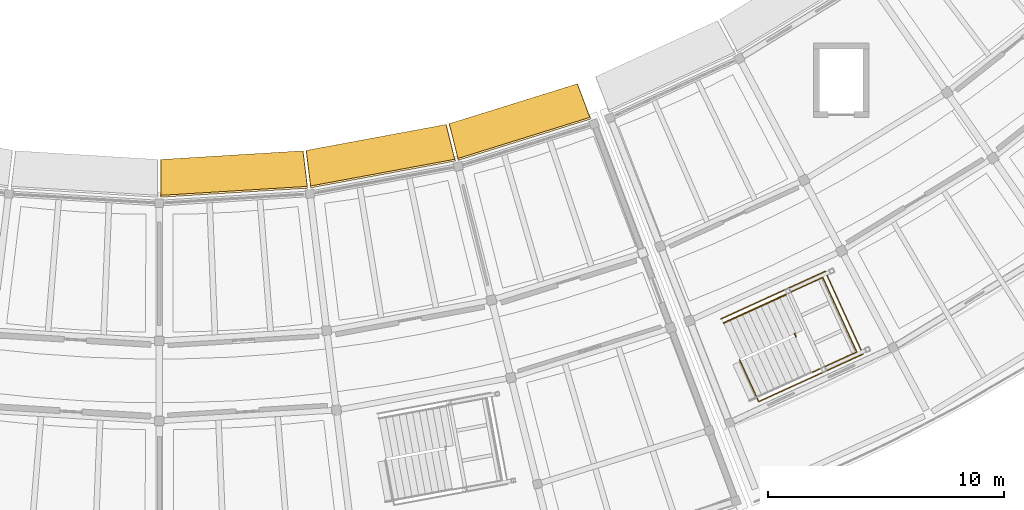
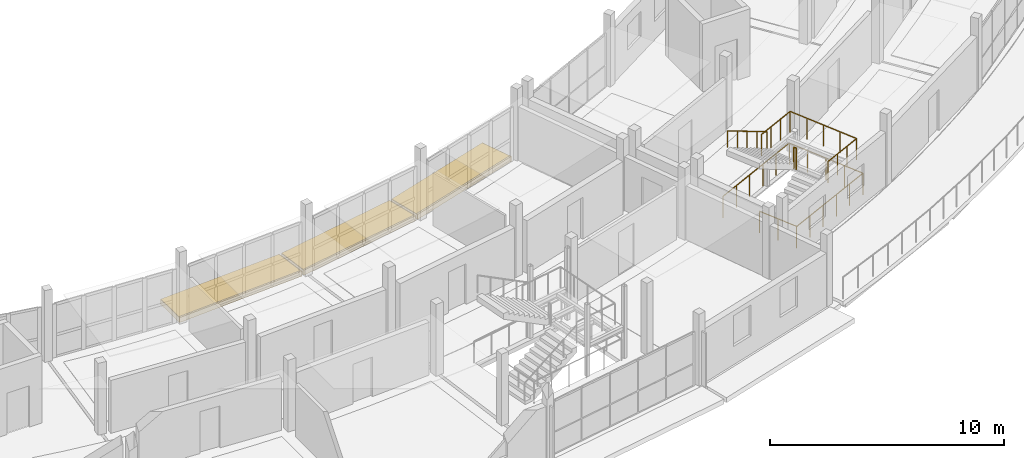
# One storey, part 35 of 36: 4 railings, 3 coverings, 3 shading devices.
"""IFC4 building model written with IfcOpenShell, lengths in metres."""

from ifc_helpers import new_model, si_unit, direction, frame, origin, origin_2d, place, context, subcontext, project, spatial, polyline, circle, outline, extrude, material, layer, layer_set, type_object, element, save


model = new_model("IFC4")

# Units and contexts
model_context = context("Model", 3, precision=1e-05, world=origin(), true_north=direction((0.0, 1.0)))
body_context = subcontext(model_context, "Body", "Model", "MODEL_VIEW")
ifc_project = project(units=[si_unit("LENGTHUNIT", "METRE"), si_unit("AREAUNIT", "SQUARE_METRE"), si_unit("VOLUMEUNIT", "CUBIC_METRE"), si_unit("PLANEANGLEUNIT", "RADIAN"), si_unit("MASSUNIT", "GRAM", prefix="KILO")], contexts=[model_context])

# Site, building, storey
site_placement = place(None, origin())
site = spatial("IfcSite", under=ifc_project, at=site_placement, CompositionType="ELEMENT")
building_placement = place(site_placement, origin())
building = spatial("IfcBuilding", under=site, at=building_placement, Name="Caldaven Crescent School", CompositionType="ELEMENT")
storey_placement = place(building_placement, frame((0.0, 0.0, 11.89990234375)))
storey = spatial("IfcBuildingStorey", under=building, at=storey_placement, Name="L03", CompositionType="ELEMENT", Elevation=11.89990234375)

# Coverings
ifc_material_1 = material(Name="White architectural GFRC precast concrete C35/45 cladding", Category="concrete")
ifc_layer_1 = layer(ifc_material_1, 0.260009765625)
ifc_layer_set_1 = layer_set([ifc_layer_1], Name="White architectural GFRC precast concrete C35/45 cladding")
covering_type = type_object("IfcCoveringType", Name="COV-CLD1", PredefinedType="CLADDING", material=ifc_layer_set_1)
covering_1_placement = place(storey_placement, frame((0.0, 0.0, -0.260009765625)))
element("IfcCovering", 1, at=covering_1_placement, inside=storey, type_object=covering_type, Name="CLD-IN-L03-070", PredefinedType="CLADDING", context=body_context, shape_type="SweptSolid", body=[
    extrude(outline(polyline([(88.052978515625, 45.400146484375), (94.114013671875, 45.770751953125), (94.307373046875, 44.182373046875), (88.0546875, 43.800048828125), (88.052978515625, 45.400146484375)])), origin(), (0.0, 0.0, 1.0), 0.260009765625),
])
covering_2_placement = place(storey_placement, frame((0.0, 0.0, -0.260009765625)))
element("IfcCovering", 2, at=covering_2_placement, inside=storey, type_object=covering_type, Name="CLD-IN-L03-072", PredefinedType="CLADDING", context=body_context, shape_type="SweptSolid", body=[
    extrude(outline(polyline([(94.21923828125, 45.78369140625), (100.18994140625, 46.89013671875), (100.5751953125, 45.33740234375), (94.415771484375, 44.19580078125), (94.21923828125, 45.78369140625)])), origin(), (0.0, 0.0, 1.0), 0.260009765625),
])
covering_3_placement = place(storey_placement, frame((0.0, 0.0, -0.260009765625)))
element("IfcCovering", 3, at=covering_3_placement, inside=storey, type_object=covering_type, Name="CLD-IN-L03-074", PredefinedType="CLADDING", context=body_context, shape_type="SweptSolid", body=[
    extrude(outline(polyline([(100.292724609375, 46.915771484375), (105.758056640625, 48.618408203125), (106.319580078125, 47.120361328125), (100.681396484375, 45.36376953125), (100.292724609375, 46.915771484375)])), origin(), (0.0, 0.0, 1.0), 0.260009765625),
])

# Railings
ifc_material_2 = material(Name="Brushed stainless-steel continuous tubular handrail", Category="steel")
railing_type_1 = type_object("IfcRailingType", Name="RAL-HR1", PredefinedType="HANDRAIL", material=ifc_material_2)
railing_1_placement = place(storey_placement, frame((114.59765625, 39.662353515625, 2.043212890625)))
element("IfcRailing", 4, at=railing_1_placement, inside=storey, type_object=railing_type_1, Name="HR-ST4-L03-F2", PredefinedType="HANDRAIL", context=body_context, shape_type="SweptSolid", body=[
    extrude(circle(Radius=0.02392578125, at=origin_2d()), frame((0.0, 0.0, 0.85595703125), z_axis=(-0.785028543257, -0.357762106031, 0.505703926977), x_axis=(0.414697069895, -0.909959526694, 0.0)), (0.0, 0.0, 1.0), 3.361572265625),
    extrude(circle(Radius=0.02099609375, at=origin_2d()), origin(), (0.0, 0.0, 1.0), 0.831787109375),
    extrude(circle(Radius=0.02099609375, at=origin_2d()), frame((-0.65966796875, -0.30078125, 0.425048828125)), (0.0, 0.0, 1.0), 0.831787109375),
    extrude(circle(Radius=0.02099609375, at=origin_2d()), frame((-1.3193359375, -0.601318359375, 0.85009765625)), (0.0, 0.0, 1.0), 0.831787109375),
    extrude(circle(Radius=0.02099609375, at=origin_2d()), frame((-1.979248046875, -0.90185546875, 1.27490234375)), (0.0, 0.0, 1.0), 0.831787109375),
    extrude(circle(Radius=0.02099609375, at=origin_2d()), frame((-2.638916015625, -1.20263671875, 1.699951171875)), (0.0, 0.0, 1.0), 0.831787109375),
])
ifc_material_3 = material(Name="Powder-coated tubular steel balustrade ASTM A572 Grade 50", Category="steel")
railing_type_2 = type_object("IfcRailingType", Name="RAL-INT2", PredefinedType="BALUSTRADE", material=ifc_material_3)
railing_2_placement = place(storey_placement, frame((115.688720703125, 36.351806640625, 1.8701171875)))
element("IfcRailing", 5, at=railing_2_placement, inside=storey, type_object=railing_type_2, Name="GD-LND-ST4-L03", PredefinedType="BALUSTRADE", context=body_context, shape_type="SweptSolid", body=[
    extrude(circle(Radius=0.02392578125, at=origin_2d()), frame((0.0, 0.0, 1.09619140625), z_axis=(0.909973800764, 0.414665747227, 0.0), x_axis=(-0.414665747227, 0.909973800764, 0.0)), (0.0, 0.0, 1.0), 2.110107421875),
    extrude(circle(Radius=0.02392578125, at=origin_2d()), frame((1.920166015625, 0.875, 1.09619140625), z_axis=(-0.41470663112, 0.909955169283, 0.0), x_axis=(-0.909955169283, -0.41470663112, 0.0)), (0.0, 0.0, 1.0), 3.479736328125),
    extrude(circle(Radius=0.02392578125, at=origin_2d()), frame((0.47705078125, 4.04150390625, 1.09619140625), z_axis=(-0.909973800764, -0.414665747227, 0.0), x_axis=(0.414665747227, -0.909973800764, 0.0)), (0.0, 0.0, 1.0), 2.110107421875),
    extrude(circle(Radius=0.02099609375, at=origin_2d()), origin(), (0.0, 0.0, 1.0), 1.072021484375),
    extrude(circle(Radius=0.02099609375, at=origin_2d()), frame((0.64013671875, 0.291748046875, 0.0)), (0.0, 0.0, 1.0), 1.072021484375),
    extrude(circle(Radius=0.02099609375, at=origin_2d()), frame((1.280029296875, 0.583251953125, 0.0)), (0.0, 0.0, 1.0), 1.072021484375),
    extrude(circle(Radius=0.02099609375, at=origin_2d()), frame((1.920166015625, 0.875, 0.0)), (0.0, 0.0, 1.0), 1.072021484375),
    extrude(circle(Radius=0.02099609375, at=origin_2d()), frame((1.559326171875, 1.66650390625, 0.0)), (0.0, 0.0, 1.0), 1.072021484375),
    extrude(circle(Radius=0.02099609375, at=origin_2d()), frame((1.19873046875, 2.458251953125, 0.0)), (0.0, 0.0, 1.0), 1.072021484375),
    extrude(circle(Radius=0.02099609375, at=origin_2d()), frame((0.837890625, 3.25, 0.0)), (0.0, 0.0, 1.0), 1.072021484375),
    extrude(circle(Radius=0.02099609375, at=origin_2d()), frame((0.47705078125, 4.04150390625, 0.0)), (0.0, 0.0, 1.0), 1.072021484375),
    extrude(circle(Radius=0.02099609375, at=origin_2d()), frame((-0.1630859375, 3.749755859375, 0.0)), (0.0, 0.0, 1.0), 1.072021484375),
    extrude(circle(Radius=0.02099609375, at=origin_2d()), frame((-0.802978515625, 3.458251953125, 0.0)), (0.0, 0.0, 1.0), 1.072021484375),
    extrude(circle(Radius=0.02099609375, at=origin_2d()), frame((-1.443115234375, 3.16650390625, 0.0)), (0.0, 0.0, 1.0), 1.072021484375),
])
railing_3_placement = place(storey_placement, frame((115.023681640625, 37.8837890625, 1.8701171875)))
element("IfcRailing", 6, at=railing_3_placement, inside=storey, type_object=railing_type_2, Name="GD-SLT-ST4-L03", PredefinedType="BALUSTRADE", context=body_context, shape_type="SweptSolid", body=[
    extrude(circle(Radius=0.02392578125, at=origin_2d()), frame((0.0, 0.0, 1.09619140625), z_axis=(-0.414853292937, 0.909888314761, 0.0), x_axis=(-0.909888314761, -0.414853292937, 0.0)), (0.0, 0.0, 1.0), 0.14013671875),
    extrude(circle(Radius=0.02099609375, at=origin_2d()), origin(), (0.0, 0.0, 1.0), 1.072021484375),
    extrude(circle(Radius=0.02099609375, at=origin_2d()), frame((-0.05810546875, 0.12744140625, 0.0)), (0.0, 0.0, 1.0), 1.072021484375),
])
railing_type_3 = type_object("IfcRailingType", Name="RAL-INT3", PredefinedType="BALUSTRADE", material=ifc_material_3)
railing_4_placement = place(storey_placement, frame((112.63671875, 36.89501953125, 0.0)))
element("IfcRailing", 7, at=railing_4_placement, inside=storey, type_object=railing_type_3, Name="GD-WELL-ST4-L03", PredefinedType="BALUSTRADE", context=body_context, shape_type="SweptSolid", body=[
    extrude(circle(Radius=0.02392578125, at=origin_2d()), frame((0.0, 0.0, 1.1259765625), z_axis=(0.414670598092, -0.909971590259, 0.0), x_axis=(0.909971590259, 0.414670598092, 0.0)), (0.0, 0.0, 1.0), 1.949951171875),
    extrude(circle(Radius=0.02392578125, at=origin_2d()), frame((0.80859375, -1.7744140625, 1.1259765625), z_axis=(0.909973988672, 0.414665334867, 0.0), x_axis=(-0.414665334867, 0.909973988672, 0.0)), (0.0, 0.0, 1.0), 4.862060546875),
    extrude(circle(Radius=0.02392578125, at=origin_2d()), frame((5.23291015625, 0.24169921875, 1.1259765625), z_axis=(-0.414717666462, 0.909950139911, 0.0), x_axis=(-0.909950139911, -0.414717666462, 0.0)), (0.0, 0.0, 1.0), 3.860107421875),
    extrude(circle(Radius=0.02392578125, at=origin_2d()), frame((3.632080078125, 3.754150390625, 1.1259765625), z_axis=(-0.909965353956, -0.41468428304, 0.0), x_axis=(0.41468428304, -0.909965353956, 0.0)), (0.0, 0.0, 1.0), 4.86181640625),
    extrude(circle(Radius=0.02099609375, at=origin_2d()), origin(), (0.0, 0.0, 1.0), 1.101806640625),
    extrude(circle(Radius=0.02099609375, at=origin_2d()), frame((0.404296875, -0.88720703125, 0.0)), (0.0, 0.0, 1.0), 1.101806640625),
    extrude(circle(Radius=0.02099609375, at=origin_2d()), frame((0.80859375, -1.7744140625, 0.0)), (0.0, 0.0, 1.0), 1.101806640625),
    extrude(circle(Radius=0.02099609375, at=origin_2d()), frame((1.693359375, -1.37109375, 0.0)), (0.0, 0.0, 1.0), 1.101806640625),
    extrude(circle(Radius=0.02099609375, at=origin_2d()), frame((2.578369140625, -0.968017578125, 0.0)), (0.0, 0.0, 1.0), 1.101806640625),
    extrude(circle(Radius=0.02099609375, at=origin_2d()), frame((3.463134765625, -0.564697265625, 0.0)), (0.0, 0.0, 1.0), 1.101806640625),
    extrude(circle(Radius=0.02099609375, at=origin_2d()), frame((4.34814453125, -0.16162109375, 0.0)), (0.0, 0.0, 1.0), 1.101806640625),
    extrude(circle(Radius=0.02099609375, at=origin_2d()), frame((5.23291015625, 0.24169921875, 0.0)), (0.0, 0.0, 1.0), 1.101806640625),
    extrude(circle(Radius=0.02099609375, at=origin_2d()), frame((4.832763671875, 1.119873046875, 0.0)), (0.0, 0.0, 1.0), 1.101806640625),
    extrude(circle(Radius=0.02099609375, at=origin_2d()), frame((4.4326171875, 1.998046875, 0.0)), (0.0, 0.0, 1.0), 1.101806640625),
    extrude(circle(Radius=0.02099609375, at=origin_2d()), frame((4.0322265625, 2.8759765625, 0.0)), (0.0, 0.0, 1.0), 1.101806640625),
    extrude(circle(Radius=0.02099609375, at=origin_2d()), frame((3.632080078125, 3.754150390625, 0.0)), (0.0, 0.0, 1.0), 1.101806640625),
    extrude(circle(Radius=0.02099609375, at=origin_2d()), frame((2.747314453125, 3.350830078125, 0.0)), (0.0, 0.0, 1.0), 1.101806640625),
    extrude(circle(Radius=0.02099609375, at=origin_2d()), frame((1.862548828125, 2.94775390625, 0.0)), (0.0, 0.0, 1.0), 1.101806640625),
    extrude(circle(Radius=0.02099609375, at=origin_2d()), frame((0.9775390625, 2.54443359375, 0.0)), (0.0, 0.0, 1.0), 1.101806640625),
    extrude(circle(Radius=0.02099609375, at=origin_2d()), frame((0.0927734375, 2.141357421875, 0.0)), (0.0, 0.0, 1.0), 1.101806640625),
    extrude(circle(Radius=0.02099609375, at=origin_2d()), frame((-0.7919921875, 1.738037109375, 0.0)), (0.0, 0.0, 1.0), 1.101806640625),
])

# Shading devices
ifc_material_4 = material(Name="Precast concrete C35/45", Category="concrete")
ifc_layer_2 = layer(ifc_material_4, 0.139892578125)
ifc_layer_set_2 = layer_set([ifc_layer_2], Name="Precast concrete C35/45")
shading_device_type = type_object("IfcShadingDeviceType", Name="SHD-S01", PredefinedType="AWNING", material=ifc_layer_set_2)
shading_device_1_placement = place(storey_placement, frame((0.0, 0.0, -0.139892578125)))
element("IfcShadingDevice", 8, at=shading_device_1_placement, inside=storey, type_object=shading_device_type, Name="SHD-LDG-L03-052", PredefinedType="AWNING", context=body_context, shape_type="SweptSolid", body=[
    extrude(outline(polyline([(88.070556640625, 45.400146484375), (94.096435546875, 45.7685546875), (94.279541015625, 44.259765625), (88.07275390625, 43.880126953125), (88.070556640625, 45.400146484375)])), origin(), (0.0, 0.0, 1.0), 0.139892578125),
])
shading_device_2_placement = place(storey_placement, frame((0.0, 0.0, -0.139892578125)))
element("IfcShadingDevice", 9, at=shading_device_2_placement, inside=storey, type_object=shading_device_type, Name="SHD-LDG-L03-054", PredefinedType="AWNING", context=body_context, shape_type="SweptSolid", body=[
    extrude(outline(polyline([(94.23681640625, 45.785888671875), (100.172607421875, 46.885986328125), (100.538330078125, 45.41064453125), (94.424072265625, 44.27734375), (94.23681640625, 45.785888671875)])), origin(), (0.0, 0.0, 1.0), 0.139892578125),
])
shading_device_3_placement = place(storey_placement, frame((0.0, 0.0, -0.139892578125)))
element("IfcShadingDevice", 10, at=shading_device_3_placement, inside=storey, type_object=shading_device_type, Name="SHD-LDG-L03-056", PredefinedType="AWNING", context=body_context, shape_type="SweptSolid", body=[
    extrude(outline(polyline([(100.309814453125, 46.920166015625), (105.74169921875, 48.6123046875), (106.2744140625, 47.188720703125), (100.6796875, 45.44580078125), (100.309814453125, 46.920166015625)])), origin(), (0.0, 0.0, 1.0), 0.139892578125),
])

save(model, "model.ifc")
